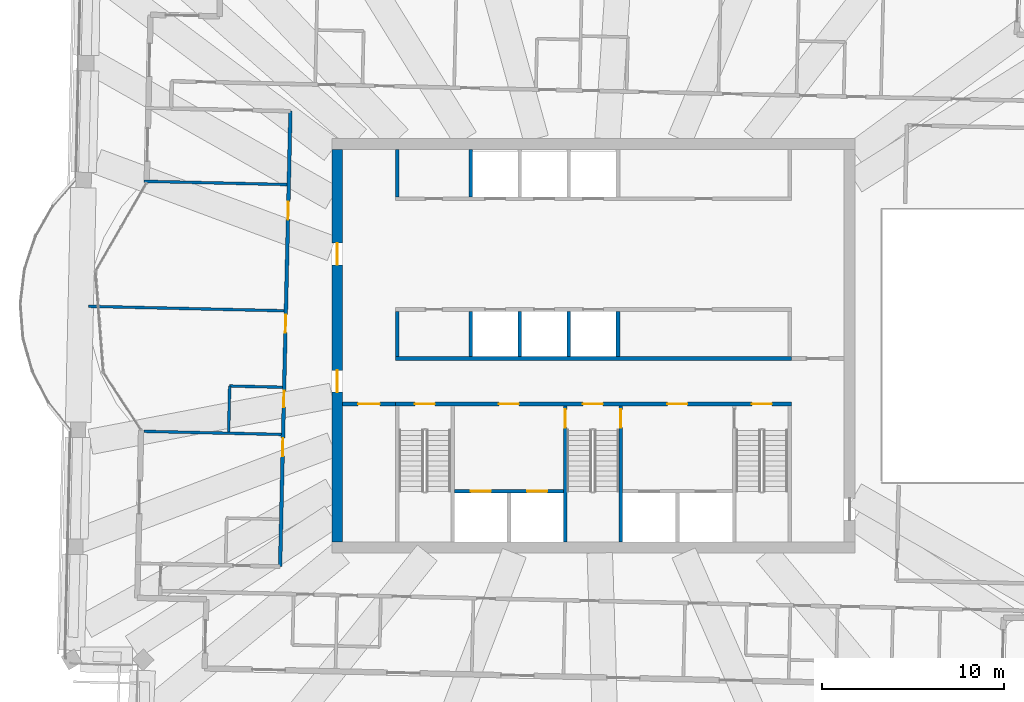
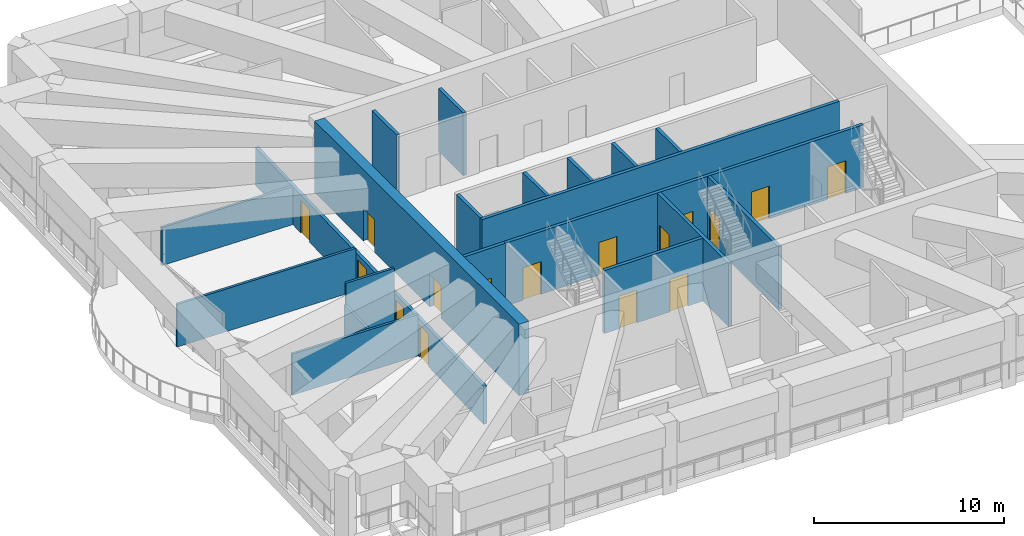
# One storey, part 8 of 17: 20 walls, 16 doors, 16 openings.
"""IFC4 building model written with IfcOpenShell, lengths in metres."""

from ifc_helpers import new_model, si_unit, direction, frame, frame_2d, origin, place, context, subcontext, project, spatial, rectangle, extrude, material, layer, layer_set, type_object, element, fill, save


model = new_model("IFC4")

# Units and contexts
model_context = context("Model", 3, precision=1e-05, world=origin(), true_north=direction((0.0, 1.0)))
body_context = subcontext(model_context, "Body", "Model", "MODEL_VIEW")
ifc_project = project(units=[si_unit("LENGTHUNIT", "METRE"), si_unit("AREAUNIT", "SQUARE_METRE"), si_unit("VOLUMEUNIT", "CUBIC_METRE"), si_unit("PLANEANGLEUNIT", "RADIAN"), si_unit("MASSUNIT", "GRAM", prefix="KILO")], contexts=[model_context])

# Site, building, storey
site_placement = place(None, origin())
site = spatial("IfcSite", under=ifc_project, at=site_placement, CompositionType="ELEMENT")
building_placement = place(site_placement, origin())
building = spatial("IfcBuilding", under=site, at=building_placement, Name="Mangrove Gate Tower", CompositionType="ELEMENT")
storey_placement = place(building_placement, frame((0.0, 0.0, 337.89990234375)))
storey = spatial("IfcBuildingStorey", under=building, at=storey_placement, Name="L86", CompositionType="ELEMENT", Elevation=337.89990234375)

# Wall, opening, door
ifc_material_1 = material(Name="Concrete C32/40", Category="concrete")
ifc_layer_1 = layer(ifc_material_1, 0.199951171875)
ifc_layer_set_1 = layer_set([ifc_layer_1], Name="Core lobby wall 200 C32/40")
wall_type_1 = type_object("IfcWallType", Name="Core lobby wall 200 C32/40", PredefinedType="STANDARD", material=ifc_layer_set_1)
wall_1_placement = place(storey_placement, frame((-13.800048828125, -3.199951171875, 0.0), z_axis=(0.0, 0.0, 1.0), x_axis=(1.0, 0.0, 0.0)))
wall_1 = element("IfcWall", 1, at=wall_1_placement, inside=storey, type_object=wall_type_1, Name="WALL-L86-CORE-31", PredefinedType="STANDARD", context=body_context, shape_type="SweptSolid", body=[
    extrude(rectangle(XDim=2.900146484375, YDim=0.199951171875, at=frame_2d((1.4501953125, 0.0))), origin(), (0.0, 0.0, 1.0), 4.050048828125),
])
opening_1_placement = place(wall_1_placement, frame((0.85009765625, 0.0, 0.0)))
opening_1 = element("IfcOpeningElement", 2, at=opening_1_placement, cuts=wall_1, Name="Opening FL12", PredefinedType="OPENING", context=body_context, shape_type="SweptSolid", body=[
    extrude(rectangle(XDim=1.199951171875, YDim=2.10009765625, at=frame_2d((0.60009765625, 1.050048828125))), frame((0.0, 0.10986328125, 0.0), z_axis=(0.0, -1.0, 0.0), x_axis=(1.0, 0.0, 0.0)), (0.0, 0.0, 1.0), 0.219970703125),
])
ifc_material_2 = material(Name="Fire-rated steel door set", Category="steel")
door_type_1 = type_object("IfcDoorType", Name="Lobby door FD60 1200x2100", OperationType="SINGLE_SWING_LEFT", PredefinedType="DOOR", material=ifc_material_2)
door_1_placement = place(opening_1_placement, origin())
door_1 = element("IfcDoor", 3, at=door_1_placement, inside=storey, type_object=door_type_1, Name="Lobby door core corridor W partition", OperationType="SINGLE_SWING_LEFT", OverallHeight=2.10009765625, OverallWidth=1.199951171875, PredefinedType="DOOR", context=body_context, shape_type="SweptSolid", body=[
    extrude(rectangle(XDim=1.199951171875, YDim=2.10009765625, at=frame_2d((0.60009765625, 1.050048828125))), frame((0.0, 0.02490234375, 0.0), z_axis=(0.0, -1.0, 0.0), x_axis=(1.0, 0.0, 0.0)), (0.0, 0.0, 1.0), 0.050048828125),
])
fill(opening_1, door_1)

# Walls
ifc_material_3 = material(Name="Concrete C32/40", Category="concrete")
ifc_layer_2 = layer(ifc_material_3, 0.199951171875)
ifc_layer_set_2 = layer_set([ifc_layer_2], Name="Core room wall 200 C32/40")
wall_type_2 = type_object("IfcWallType", Name="Core room wall 200 C32/40", PredefinedType="STANDARD", material=ifc_layer_set_2)
wall_2_placement = place(storey_placement, frame((-10.800048828125, -0.60009765625, 0.0), z_axis=(0.0, 0.0, 1.0), x_axis=(0.0, 1.0, 0.0)))
element("IfcWall", 4, at=wall_2_placement, inside=storey, type_object=wall_type_2, Name="WALL-L86-CORE-19", PredefinedType="STANDARD", context=body_context, shape_type="SweptSolid", body=[
    extrude(rectangle(XDim=2.5, YDim=0.199951171875, at=frame_2d((1.25, 0.0))), origin(), (0.0, 0.0, 1.0), 4.050048828125),
])
wall_3_placement = place(storey_placement, frame((-10.800048828125, 8.199951171875, 0.0), z_axis=(0.0, 0.0, 1.0), x_axis=(0.0, 1.0, 0.0)))
element("IfcWall", 5, at=wall_3_placement, inside=storey, type_object=wall_type_2, Name="WALL-L86-CORE-25", PredefinedType="STANDARD", context=body_context, shape_type="SweptSolid", body=[
    extrude(rectangle(XDim=2.60009765625, YDim=0.199951171875, at=frame_2d((1.300048828125, 0.0))), origin(), (0.0, 0.0, 1.0), 4.050048828125),
])
ifc_material_4 = material(Name="Concrete C50/60", Category="concrete")
ifc_layer_3 = layer(ifc_material_4, 0.199951171875)
ifc_layer_set_3 = layer_set([ifc_layer_3], Name="Core shaft wall 200 C50/60")
wall_type_3 = type_object("IfcWallType", Name="Core shaft wall 200 C50/60", PredefinedType="SHEAR", material=ifc_layer_set_3)
wall_4_placement = place(storey_placement, frame((-10.89990234375, -0.699951171875, 0.0), z_axis=(0.0, 0.0, 1.0), x_axis=(1.0, 0.0, 0.0)))
element("IfcWall", 6, at=wall_4_placement, inside=storey, type_object=wall_type_3, Name="WALL-L86-CORE-6", PredefinedType="SHEAR", context=body_context, shape_type="SweptSolid", body=[
    extrude(rectangle(XDim=21.7998046875, YDim=0.199951171875, at=frame_2d((10.89990234375, 0.0))), origin(), (0.0, 0.0, 1.0), 4.050048828125),
])

# Wall, openings, doors
wall_5_placement = place(storey_placement, frame((-7.64990234375, -8.0, 0.0), z_axis=(0.0, 0.0, 1.0), x_axis=(1.0, 0.0, 0.0)))
wall_5 = element("IfcWall", 7, at=wall_5_placement, inside=storey, type_object=wall_type_3, Name="WALL-L86-CORE-15", PredefinedType="SHEAR", context=body_context, shape_type="SweptSolid", body=[
    extrude(rectangle(XDim=6.0, YDim=0.199951171875, at=frame_2d((3.0, 0.0))), origin(), (0.0, 0.0, 1.0), 4.050048828125),
])
opening_2_placement = place(wall_5_placement, frame((0.89990234375, 0.0, 0.0)))
opening_2 = element("IfcOpeningElement", 8, at=opening_2_placement, cuts=wall_5, Name="Opening LD", PredefinedType="OPENING", context=body_context, shape_type="SweptSolid", body=[
    extrude(rectangle(XDim=1.10009765625, YDim=2.10009765625, at=frame_2d((0.550048828125, 1.050048828125))), frame((0.0, 0.10986328125, 0.0), z_axis=(0.0, -1.0, 0.0), x_axis=(1.0, 0.0, 0.0)), (0.0, 0.0, 1.0), 0.219970703125),
])
opening_3_placement = place(wall_5_placement, frame((4.0, 0.0, 0.0)))
opening_3 = element("IfcOpeningElement", 9, at=opening_3_placement, cuts=wall_5, Name="Opening LD", PredefinedType="OPENING", context=body_context, shape_type="SweptSolid", body=[
    extrude(rectangle(XDim=1.10009765625, YDim=2.10009765625, at=frame_2d((0.550048828125, 1.050048828125))), frame((0.0, 0.10986328125, 0.0), z_axis=(0.0, -1.0, 0.0), x_axis=(1.0, 0.0, 0.0)), (0.0, 0.0, 1.0), 0.219970703125),
])
ifc_material_5 = material(Name="Stainless steel 316", Category="steel")
door_type_2 = type_object("IfcDoorType", Name="Lift landing door 1100x2100", OperationType="SLIDING_TO_LEFT", PredefinedType="DOOR", material=ifc_material_5)
door_2_placement = place(opening_2_placement, origin())
door_2 = element("IfcDoor", 10, at=door_2_placement, inside=storey, type_object=door_type_2, Name="Landing door LD SVL1", OperationType="SLIDING_TO_LEFT", OverallHeight=2.10009765625, OverallWidth=1.10009765625, PredefinedType="DOOR", context=body_context, shape_type="SweptSolid", body=[
    extrude(rectangle(XDim=1.10009765625, YDim=2.10009765625, at=frame_2d((0.550048828125, 1.050048828125))), frame((0.0, 0.02490234375, 0.0), z_axis=(0.0, -1.0, 0.0), x_axis=(1.0, 0.0, 0.0)), (0.0, 0.0, 1.0), 0.050048828125),
])
fill(opening_2, door_2)
door_3_placement = place(opening_3_placement, origin())
door_3 = element("IfcDoor", 11, at=door_3_placement, inside=storey, type_object=door_type_2, Name="Landing door LD SVL2", OperationType="SLIDING_TO_LEFT", OverallHeight=2.10009765625, OverallWidth=1.10009765625, PredefinedType="DOOR", context=body_context, shape_type="SweptSolid", body=[
    extrude(rectangle(XDim=1.10009765625, YDim=2.10009765625, at=frame_2d((0.550048828125, 1.050048828125))), frame((0.0, 0.02490234375, 0.0), z_axis=(0.0, -1.0, 0.0), x_axis=(1.0, 0.0, 0.0)), (0.0, 0.0, 1.0), 0.050048828125),
])
fill(opening_3, door_3)

# Walls
for number, where, z_axis, x_axis, name in (
    (12, (-6.75, -0.60009765625, 0.0), (0.0, 0.0, 1.0), (0.0, 1.0, 0.0), "WALL-L86-CORE-20"),
    (13, (-4.050048828125, -0.60009765625, 0.0), (0.0, 0.0, 1.0), (0.0, 1.0, 0.0), "WALL-L86-CORE-21"),
    (14, (-1.35009765625, -0.60009765625, 0.0), (0.0, 0.0, 1.0), (0.0, 1.0, 0.0), "WALL-L86-CORE-22"),
    (15, (1.35009765625, -0.60009765625, 0.0), (0.0, 0.0, 1.0), (0.0, 1.0, 0.0), "WALL-L86-CORE-23"),
):
    element("IfcWall", number, at=place(storey_placement, frame(where, z_axis=z_axis, x_axis=x_axis)), inside=storey, type_object=wall_type_3, Name=name, PredefinedType="SHEAR", context=body_context, shape_type="SweptSolid", body=[
        extrude(rectangle(XDim=2.5, YDim=0.199951171875, at=frame_2d((1.25, 0.0))), origin(), (0.0, 0.0, 1.0), 4.050048828125),
    ])
wall_6_placement = place(storey_placement, frame((-6.75, 8.199951171875, 0.0), z_axis=(0.0, 0.0, 1.0), x_axis=(0.0, 1.0, 0.0)))
element("IfcWall", 16, at=wall_6_placement, inside=storey, type_object=wall_type_3, Name="WALL-L86-CORE-26", PredefinedType="SHEAR", context=body_context, shape_type="SweptSolid", body=[
    extrude(rectangle(XDim=2.60009765625, YDim=0.199951171875, at=frame_2d((1.300048828125, 0.0))), origin(), (0.0, 0.0, 1.0), 4.050048828125),
])

# Wall, openings, doors
ifc_material_6 = material(Name="Concrete C50/60", Category="concrete")
ifc_layer_4 = layer(ifc_material_6, 0.199951171875)
ifc_layer_set_4 = layer_set([ifc_layer_4], Name="Core stair wall 200 C50/60")
wall_type_4 = type_object("IfcWallType", Name="Core stair wall 200 C50/60", PredefinedType="SHEAR", material=ifc_layer_set_4)
wall_7_placement = place(storey_placement, frame((-10.89990234375, -3.199951171875, 0.0), z_axis=(0.0, 0.0, 1.0), x_axis=(1.0, 0.0, 0.0)))
wall_7 = element("IfcWall", 17, at=wall_7_placement, inside=storey, type_object=wall_type_4, Name="WALL-L86-CORE-5", PredefinedType="SHEAR", context=body_context, shape_type="SweptSolid", body=[
    extrude(rectangle(XDim=21.7998046875, YDim=0.199951171875, at=frame_2d((10.89990234375, 0.0))), origin(), (0.0, 0.0, 1.0), 4.050048828125),
])
opening_4_placement = place(wall_7_placement, frame((1.074951171875, 0.0, 0.0)))
opening_4 = element("IfcOpeningElement", 18, at=opening_4_placement, cuts=wall_7, Name="Opening STD11", PredefinedType="OPENING", context=body_context, shape_type="SweptSolid", body=[
    extrude(rectangle(XDim=1.10009765625, YDim=2.10009765625, at=frame_2d((0.550048828125, 1.050048828125))), frame((0.0, 0.10986328125, 0.0), z_axis=(0.0, -1.0, 0.0), x_axis=(1.0, 0.0, 0.0)), (0.0, 0.0, 1.0), 0.219970703125),
])
opening_5_placement = place(wall_7_placement, frame((10.324951171875, 0.0, 0.0)))
opening_5 = element("IfcOpeningElement", 19, at=opening_5_placement, cuts=wall_7, Name="Opening STD11", PredefinedType="OPENING", context=body_context, shape_type="SweptSolid", body=[
    extrude(rectangle(XDim=1.10009765625, YDim=2.10009765625, at=frame_2d((0.550048828125, 1.050048828125))), frame((0.0, 0.10986328125, 0.0), z_axis=(0.0, -1.0, 0.0), x_axis=(1.0, 0.0, 0.0)), (0.0, 0.0, 1.0), 0.219970703125),
])
opening_6_placement = place(wall_7_placement, frame((19.625, 0.0, 0.0)))
opening_6 = element("IfcOpeningElement", 20, at=opening_6_placement, cuts=wall_7, Name="Opening STD11", PredefinedType="OPENING", context=body_context, shape_type="SweptSolid", body=[
    extrude(rectangle(XDim=1.10009765625, YDim=2.10009765625, at=frame_2d((0.550048828125, 1.050048828125))), frame((0.0, 0.10986328125, 0.0), z_axis=(0.0, -1.0, 0.0), x_axis=(1.0, 0.0, 0.0)), (0.0, 0.0, 1.0), 0.219970703125),
])
opening_7_placement = place(wall_7_placement, frame((5.699951171875, 0.0, 0.0)))
opening_7 = element("IfcOpeningElement", 21, at=opening_7_placement, cuts=wall_7, Name="Opening FL", PredefinedType="OPENING", context=body_context, shape_type="SweptSolid", body=[
    extrude(rectangle(XDim=1.10009765625, YDim=2.10009765625, at=frame_2d((0.550048828125, 1.050048828125))), frame((0.0, 0.10986328125, 0.0), z_axis=(0.0, -1.0, 0.0), x_axis=(1.0, 0.0, 0.0)), (0.0, 0.0, 1.0), 0.219970703125),
])
opening_8_placement = place(wall_7_placement, frame((14.97509765625, 0.0, 0.0)))
opening_8 = element("IfcOpeningElement", 22, at=opening_8_placement, cuts=wall_7, Name="Opening FL", PredefinedType="OPENING", context=body_context, shape_type="SweptSolid", body=[
    extrude(rectangle(XDim=1.10009765625, YDim=2.10009765625, at=frame_2d((0.550048828125, 1.050048828125))), frame((0.0, 0.10986328125, 0.0), z_axis=(0.0, -1.0, 0.0), x_axis=(1.0, 0.0, 0.0)), (0.0, 0.0, 1.0), 0.219970703125),
])
ifc_material_7 = material(Name="Fire-rated steel door set", Category="steel")
door_type_3 = type_object("IfcDoorType", Name="Lobby door FD60 1100x2100", OperationType="SINGLE_SWING_LEFT", PredefinedType="DOOR", material=ifc_material_7)
door_4_placement = place(opening_7_placement, origin())
door_4 = element("IfcDoor", 23, at=door_4_placement, inside=storey, type_object=door_type_3, Name="Lobby door service lobby", OperationType="SINGLE_SWING_LEFT", OverallHeight=2.10009765625, OverallWidth=1.10009765625, PredefinedType="DOOR", context=body_context, shape_type="SweptSolid", body=[
    extrude(rectangle(XDim=1.10009765625, YDim=2.10009765625, at=frame_2d((0.550048828125, 1.050048828125))), frame((0.0, 0.02490234375, 0.0), z_axis=(0.0, -1.0, 0.0), x_axis=(1.0, 0.0, 0.0)), (0.0, 0.0, 1.0), 0.050048828125),
])
fill(opening_7, door_4)
door_5_placement = place(opening_8_placement, origin())
door_5 = element("IfcDoor", 24, at=door_5_placement, inside=storey, type_object=door_type_3, Name="Lobby door fire-fighting lobby", OperationType="SINGLE_SWING_LEFT", OverallHeight=2.10009765625, OverallWidth=1.10009765625, PredefinedType="DOOR", context=body_context, shape_type="SweptSolid", body=[
    extrude(rectangle(XDim=1.10009765625, YDim=2.10009765625, at=frame_2d((0.550048828125, 1.050048828125))), frame((0.0, 0.02490234375, 0.0), z_axis=(0.0, -1.0, 0.0), x_axis=(1.0, 0.0, 0.0)), (0.0, 0.0, 1.0), 0.050048828125),
])
fill(opening_8, door_5)
ifc_material_8 = material(Name="Fire-rated steel door set", Category="steel")
door_type_4 = type_object("IfcDoorType", Name="Stair door FD60 1100x2100", OperationType="SINGLE_SWING_RIGHT", PredefinedType="DOOR", material=ifc_material_8)
door_6_placement = place(opening_4_placement, origin())
door_6 = element("IfcDoor", 25, at=door_6_placement, inside=storey, type_object=door_type_4, Name="Stair door Stair 1", OperationType="SINGLE_SWING_RIGHT", OverallHeight=2.10009765625, OverallWidth=1.10009765625, PredefinedType="DOOR", context=body_context, shape_type="SweptSolid", body=[
    extrude(rectangle(XDim=1.10009765625, YDim=2.10009765625, at=frame_2d((0.550048828125, 1.050048828125))), frame((0.0, 0.02490234375, 0.0), z_axis=(0.0, -1.0, 0.0), x_axis=(1.0, 0.0, 0.0)), (0.0, 0.0, 1.0), 0.050048828125),
])
fill(opening_4, door_6)
door_7_placement = place(opening_5_placement, origin())
door_7 = element("IfcDoor", 26, at=door_7_placement, inside=storey, type_object=door_type_4, Name="Stair door Stair 2", OperationType="SINGLE_SWING_RIGHT", OverallHeight=2.10009765625, OverallWidth=1.10009765625, PredefinedType="DOOR", context=body_context, shape_type="SweptSolid", body=[
    extrude(rectangle(XDim=1.10009765625, YDim=2.10009765625, at=frame_2d((0.550048828125, 1.050048828125))), frame((0.0, 0.02490234375, 0.0), z_axis=(0.0, -1.0, 0.0), x_axis=(1.0, 0.0, 0.0)), (0.0, 0.0, 1.0), 0.050048828125),
])
fill(opening_5, door_7)
door_8_placement = place(opening_6_placement, origin())
door_8 = element("IfcDoor", 27, at=door_8_placement, inside=storey, type_object=door_type_4, Name="Stair door Stair 3", OperationType="SINGLE_SWING_RIGHT", OverallHeight=2.10009765625, OverallWidth=1.10009765625, PredefinedType="DOOR", context=body_context, shape_type="SweptSolid", body=[
    extrude(rectangle(XDim=1.10009765625, YDim=2.10009765625, at=frame_2d((0.550048828125, 1.050048828125))), frame((0.0, 0.02490234375, 0.0), z_axis=(0.0, -1.0, 0.0), x_axis=(1.0, 0.0, 0.0)), (0.0, 0.0, 1.0), 0.050048828125),
])
fill(opening_6, door_8)

# Wall, opening, door
wall_8_placement = place(storey_placement, frame((-1.550048828125, -10.800048828125, 0.0), z_axis=(0.0, 0.0, 1.0), x_axis=(0.0, 1.0, 0.0)))
wall_8 = element("IfcWall", 28, at=wall_8_placement, inside=storey, type_object=wall_type_4, Name="WALL-L86-CORE-11", PredefinedType="SHEAR", context=body_context, shape_type="SweptSolid", body=[
    extrude(rectangle(XDim=7.5, YDim=0.199951171875, at=frame_2d((3.75, 0.0))), origin(), (0.0, 0.0, 1.0), 4.050048828125),
])
opening_9_placement = place(wall_8_placement, frame((6.300048828125, 0.0, 0.0)))
opening_9 = element("IfcOpeningElement", 29, at=opening_9_placement, cuts=wall_8, Name="Opening STD10", PredefinedType="OPENING", context=body_context, shape_type="SweptSolid", body=[
    extrude(rectangle(XDim=1.0, YDim=2.10009765625, at=frame_2d((0.5, 1.050048828125))), frame((0.0, 0.10986328125, 0.0), z_axis=(0.0, -1.0, 0.0), x_axis=(1.0, 0.0, 0.0)), (0.0, 0.0, 1.0), 0.219970703125),
])
ifc_material_9 = material(Name="Fire-rated steel door set", Category="steel")
door_type_5 = type_object("IfcDoorType", Name="Stair door FD60 1000x2100", OperationType="SINGLE_SWING_RIGHT", PredefinedType="DOOR", material=ifc_material_9)
door_9_placement = place(opening_9_placement, origin())
door_9 = element("IfcDoor", 30, at=door_9_placement, inside=storey, type_object=door_type_5, Name="Stair door Stair 2 from service lobby", OperationType="SINGLE_SWING_RIGHT", OverallHeight=2.10009765625, OverallWidth=1.0, PredefinedType="DOOR", context=body_context, shape_type="SweptSolid", body=[
    extrude(rectangle(XDim=1.0, YDim=2.10009765625, at=frame_2d((0.5, 1.050048828125))), frame((0.0, 0.02490234375, 0.0), z_axis=(0.0, -1.0, 0.0), x_axis=(1.0, 0.0, 0.0)), (0.0, 0.0, 1.0), 0.050048828125),
])
fill(opening_9, door_9)

wall_9_placement = place(storey_placement, frame((1.5, -10.800048828125, 0.0), z_axis=(0.0, 0.0, 1.0), x_axis=(0.0, 1.0, 0.0)))
wall_9 = element("IfcWall", 31, at=wall_9_placement, inside=storey, type_object=wall_type_4, Name="WALL-L86-CORE-12", PredefinedType="SHEAR", context=body_context, shape_type="SweptSolid", body=[
    extrude(rectangle(XDim=7.5, YDim=0.199951171875, at=frame_2d((3.75, 0.0))), origin(), (0.0, 0.0, 1.0), 4.050048828125),
])
opening_10_placement = place(wall_9_placement, frame((6.300048828125, 0.0, 0.0)))
opening_10 = element("IfcOpeningElement", 32, at=opening_10_placement, cuts=wall_9, Name="Opening STD10", PredefinedType="OPENING", context=body_context, shape_type="SweptSolid", body=[
    extrude(rectangle(XDim=1.0, YDim=2.10009765625, at=frame_2d((0.5, 1.050048828125))), frame((0.0, 0.10986328125, 0.0), z_axis=(0.0, -1.0, 0.0), x_axis=(1.0, 0.0, 0.0)), (0.0, 0.0, 1.0), 0.219970703125),
])
door_10_placement = place(opening_10_placement, origin())
door_10 = element("IfcDoor", 33, at=door_10_placement, inside=storey, type_object=door_type_5, Name="Stair door Stair 2 from fire-fighting lobby", OperationType="SINGLE_SWING_RIGHT", OverallHeight=2.10009765625, OverallWidth=1.0, PredefinedType="DOOR", context=body_context, shape_type="SweptSolid", body=[
    extrude(rectangle(XDim=1.0, YDim=2.10009765625, at=frame_2d((0.5, 1.050048828125))), frame((0.0, 0.02490234375, 0.0), z_axis=(0.0, -1.0, 0.0), x_axis=(1.0, 0.0, 0.0)), (0.0, 0.0, 1.0), 0.050048828125),
])
fill(opening_10, door_10)

# Wall, openings, doors
ifc_material_10 = material(Name="Concrete C50/60", Category="concrete")
ifc_layer_5 = layer(ifc_material_10, 0.60009765625)
ifc_layer_set_5 = layer_set([ifc_layer_5], Name="Core wall 600 C50/60")
wall_type_5 = type_object("IfcWallType", Name="Core wall 600 C50/60", PredefinedType="SHEAR", material=ifc_layer_set_5)
wall_10_placement = place(storey_placement, frame((-14.10009765625, -10.800048828125, 0.0), z_axis=(0.0, 0.0, 1.0), x_axis=(0.0, 1.0, 0.0)))
wall_10 = element("IfcWall", 34, at=wall_10_placement, inside=storey, type_object=wall_type_5, Name="WALL-L86-CORE-3", PredefinedType="SHEAR", context=body_context, shape_type="SweptSolid", body=[
    extrude(rectangle(XDim=21.60009765625, YDim=0.60009765625, at=frame_2d((10.800048828125, 0.0))), origin(), (0.0, 0.0, 1.0), 4.60009765625),
])
opening_11_placement = place(wall_10_placement, frame((8.25, 0.0, 0.0)))
opening_11 = element("IfcOpeningElement", 35, at=opening_11_placement, cuts=wall_10, Name="Opening CD", PredefinedType="OPENING", context=body_context, shape_type="SweptSolid", body=[
    extrude(rectangle(XDim=1.199951171875, YDim=2.10009765625, at=frame_2d((0.60009765625, 1.050048828125))), frame((0.0, 0.31005859375, 0.0), z_axis=(0.0, -1.0, 0.0), x_axis=(1.0, 0.0, 0.0)), (0.0, 0.0, 1.0), 0.6201171875),
])
opening_12_placement = place(wall_10_placement, frame((15.25, 0.0, 0.0)))
opening_12 = element("IfcOpeningElement", 36, at=opening_12_placement, cuts=wall_10, Name="Opening CD", PredefinedType="OPENING", context=body_context, shape_type="SweptSolid", body=[
    extrude(rectangle(XDim=1.199951171875, YDim=2.10009765625, at=frame_2d((0.60009765625, 1.050048828125))), frame((0.0, 0.31005859375, 0.0), z_axis=(0.0, -1.0, 0.0), x_axis=(1.0, 0.0, 0.0)), (0.0, 0.0, 1.0), 0.6201171875),
])
ifc_material_11 = material(Name="Fire-rated steel door set", Category="steel")
door_type_6 = type_object("IfcDoorType", Name="Core ring door FD60 1200x2100", OperationType="DOUBLE_DOOR_SINGLE_SWING", PredefinedType="DOOR", material=ifc_material_11)
door_11_placement = place(opening_11_placement, origin())
door_11 = element("IfcDoor", 37, at=door_11_placement, inside=storey, type_object=door_type_6, Name="Core ring door W1", OperationType="DOUBLE_DOOR_SINGLE_SWING", OverallHeight=2.10009765625, OverallWidth=1.199951171875, PredefinedType="DOOR", context=body_context, shape_type="SweptSolid", body=[
    extrude(rectangle(XDim=1.199951171875, YDim=2.10009765625, at=frame_2d((0.60009765625, 1.050048828125))), frame((0.0, 0.02490234375, 0.0), z_axis=(0.0, -1.0, 0.0), x_axis=(1.0, 0.0, 0.0)), (0.0, 0.0, 1.0), 0.050048828125),
])
fill(opening_11, door_11)
door_12_placement = place(opening_12_placement, origin())
door_12 = element("IfcDoor", 38, at=door_12_placement, inside=storey, type_object=door_type_6, Name="Core ring door W2", OperationType="DOUBLE_DOOR_SINGLE_SWING", OverallHeight=2.10009765625, OverallWidth=1.199951171875, PredefinedType="DOOR", context=body_context, shape_type="SweptSolid", body=[
    extrude(rectangle(XDim=1.199951171875, YDim=2.10009765625, at=frame_2d((0.60009765625, 1.050048828125))), frame((0.0, 0.02490234375, 0.0), z_axis=(0.0, -1.0, 0.0), x_axis=(1.0, 0.0, 0.0)), (0.0, 0.0, 1.0), 0.050048828125),
])
fill(opening_12, door_12)

ifc_material_12 = material(Name="Gypsum board on steel stud, EI 60", Category="steel")
ifc_layer_6 = layer(ifc_material_12, 0.199951171875)
ifc_layer_set_6 = layer_set([ifc_layer_6], Name="Corridor wall EI 60")
wall_type_6 = type_object("IfcWallType", Name="Corridor wall EI 60", PredefinedType="PARTITIONING", material=ifc_layer_set_6)
wall_11_placement = place(storey_placement, frame((-17.2470703125, -12.14892578125, 0.0), z_axis=(0.0, 0.0, 1.0), x_axis=(0.022696191528, 0.999742408268, 0.0)))
wall_11 = element("IfcWall", 39, at=wall_11_placement, inside=storey, type_object=wall_type_6, Name="WALL-L86-022", PredefinedType="PARTITIONING", context=body_context, shape_type="SweptSolid", body=[
    extrude(rectangle(XDim=25.07421875, YDim=0.199951171875, at=frame_2d((12.537109375, 0.0))), origin(), (0.0, 0.0, 1.0), 2.4501953125),
])
opening_13_placement = place(wall_11_placement, frame((19.096923828125, 0.0, 0.0)))
opening_13 = element("IfcOpeningElement", 40, at=opening_13_placement, cuts=wall_11, Name="Opening AD", PredefinedType="OPENING", context=body_context, shape_type="SweptSolid", body=[
    extrude(rectangle(XDim=1.0, YDim=2.10009765625, at=frame_2d((0.5, 1.050048828125))), frame((0.0, 0.10986328125, 0.0), z_axis=(0.0, -1.0, 0.0), x_axis=(1.0, 0.0, 0.0)), (0.0, 0.0, 1.0), 0.219970703125),
])
opening_14_placement = place(wall_11_placement, frame((12.875, 0.0, 0.0)))
opening_14 = element("IfcOpeningElement", 41, at=opening_14_placement, cuts=wall_11, Name="Opening AD", PredefinedType="OPENING", context=body_context, shape_type="SweptSolid", body=[
    extrude(rectangle(XDim=1.0, YDim=2.10009765625, at=frame_2d((0.5, 1.050048828125))), frame((0.0, 0.10986328125, 0.0), z_axis=(0.0, -1.0, 0.0), x_axis=(1.0, 0.0, 0.0)), (0.0, 0.0, 1.0), 0.219970703125),
])
opening_15_placement = place(wall_11_placement, frame((8.77490234375, 0.0, 0.0)))
opening_15 = element("IfcOpeningElement", 42, at=opening_15_placement, cuts=wall_11, Name="Opening SD", PredefinedType="OPENING", context=body_context, shape_type="SweptSolid", body=[
    extrude(rectangle(XDim=0.89990234375, YDim=2.10009765625, at=frame_2d((0.449951171875, 1.050048828125))), frame((0.0, 0.10986328125, 0.0), z_axis=(0.0, -1.0, 0.0), x_axis=(1.0, 0.0, 0.0)), (0.0, 0.0, 1.0), 0.219970703125),
])
opening_16_placement = place(wall_11_placement, frame((6.074951171875, 0.0, 0.0)))
opening_16 = element("IfcOpeningElement", 43, at=opening_16_placement, cuts=wall_11, Name="Opening AD", PredefinedType="OPENING", context=body_context, shape_type="SweptSolid", body=[
    extrude(rectangle(XDim=1.0, YDim=2.10009765625, at=frame_2d((0.5, 1.050048828125))), frame((0.0, 0.10986328125, 0.0), z_axis=(0.0, -1.0, 0.0), x_axis=(1.0, 0.0, 0.0)), (0.0, 0.0, 1.0), 0.219970703125),
])
ifc_material_13 = material(Name="Timber door leaf", Category="wood")
door_type_7 = type_object("IfcDoorType", Name="Amenity door 1000", OperationType="SINGLE_SWING_LEFT", PredefinedType="DOOR", material=ifc_material_13)
door_13_placement = place(opening_13_placement, origin())
door_13 = element("IfcDoor", 44, at=door_13_placement, inside=storey, type_object=door_type_7, Name="DOOR-L86-GAM-c5b", OperationType="SINGLE_SWING_RIGHT", OverallHeight=2.10009765625, OverallWidth=1.0, PredefinedType="DOOR", context=body_context, shape_type="SweptSolid", body=[
    extrude(rectangle(XDim=1.0, YDim=2.10009765625, at=frame_2d((0.5, 1.050048828125))), frame((0.0, 0.02490234375, 0.0), z_axis=(0.0, -1.0, 0.0), x_axis=(1.0, 0.0, 0.0)), (0.0, 0.0, 1.0), 0.050048828125),
])
fill(opening_13, door_13)
door_14_placement = place(opening_14_placement, origin())
door_14 = element("IfcDoor", 45, at=door_14_placement, inside=storey, type_object=door_type_7, Name="DOOR-L86-GAM-c5c", OperationType="SINGLE_SWING_LEFT", OverallHeight=2.10009765625, OverallWidth=1.0, PredefinedType="DOOR", context=body_context, shape_type="SweptSolid", body=[
    extrude(rectangle(XDim=1.0, YDim=2.10009765625, at=frame_2d((0.5, 1.050048828125))), frame((0.0, 0.02490234375, 0.0), z_axis=(0.0, -1.0, 0.0), x_axis=(1.0, 0.0, 0.0)), (0.0, 0.0, 1.0), 0.050048828125),
])
fill(opening_14, door_14)
door_15_placement = place(opening_16_placement, origin())
door_15 = element("IfcDoor", 46, at=door_15_placement, inside=storey, type_object=door_type_7, Name="DOOR-L86-GAM-c5d", OperationType="SINGLE_SWING_RIGHT", OverallHeight=2.10009765625, OverallWidth=1.0, PredefinedType="DOOR", context=body_context, shape_type="SweptSolid", body=[
    extrude(rectangle(XDim=1.0, YDim=2.10009765625, at=frame_2d((0.5, 1.050048828125))), frame((0.0, 0.02490234375, 0.0), z_axis=(0.0, -1.0, 0.0), x_axis=(1.0, 0.0, 0.0)), (0.0, 0.0, 1.0), 0.050048828125),
])
fill(opening_16, door_15)
ifc_material_14 = material(Name="Timber door leaf", Category="wood")
door_type_8 = type_object("IfcDoorType", Name="Service room door 900", OperationType="SINGLE_SWING_LEFT", PredefinedType="DOOR", material=ifc_material_14)
door_16_placement = place(opening_15_placement, origin())
door_16 = element("IfcDoor", 47, at=door_16_placement, inside=storey, type_object=door_type_8, Name="DOOR-L86-AWC-c5a", OperationType="SINGLE_SWING_RIGHT", OverallHeight=2.10009765625, OverallWidth=0.89990234375, PredefinedType="DOOR", context=body_context, shape_type="SweptSolid", body=[
    extrude(rectangle(XDim=0.89990234375, YDim=2.10009765625, at=frame_2d((0.449951171875, 1.050048828125))), frame((0.0, 0.02490234375, 0.0), z_axis=(0.0, -1.0, 0.0), x_axis=(1.0, 0.0, 0.0)), (0.0, 0.0, 1.0), 0.050048828125),
])
fill(opening_15, door_16)

# Walls
ifc_material_15 = material(Name="Gypsum board on steel stud, EI 60", Category="steel")
ifc_layer_7 = layer(ifc_material_15, 0.14990234375)
ifc_layer_set_7 = layer_set([ifc_layer_7], Name="Party wall 150 EI 60")
wall_type_7 = type_object("IfcWallType", Name="Party wall 150 EI 60", PredefinedType="PARTITIONING", material=ifc_layer_set_7)
wall_12_placement = place(storey_placement, frame((-24.75, -4.7060546875, 0.0), z_axis=(0.0, 0.0, 1.0), x_axis=(0.999742135204, -0.022708216532, 0.0)))
element("IfcWall", 48, at=wall_12_placement, inside=storey, type_object=wall_type_7, Name="WALL-L86-027", PredefinedType="PARTITIONING", context=body_context, shape_type="SweptSolid", body=[
    extrude(rectangle(XDim=7.56884765625, YDim=0.14990234375, at=frame_2d((3.784423828125, 0.0))), origin(), (0.0, 0.0, 1.0), 2.650146484375),
])
wall_13_placement = place(storey_placement, frame((-20.080078125, -4.73193359375, 0.0), z_axis=(0.0, 0.0, 1.0), x_axis=(0.023015762656, 0.999735102249, 0.0)))
element("IfcWall", 49, at=wall_13_placement, inside=storey, type_object=wall_type_7, Name="WALL-L86-028", PredefinedType="PARTITIONING", context=body_context, shape_type="SweptSolid", body=[
    extrude(rectangle(XDim=2.524658203125, YDim=0.14990234375, at=frame_2d((1.26220703125, 0.0))), origin(), (0.0, 0.0, 1.0), 2.650146484375),
])
wall_14_placement = place(storey_placement, frame((-20.02294921875, -2.212890625, 0.0), z_axis=(0.0, 0.0, 1.0), x_axis=(0.999739657619, -0.022817032779, 0.0)))
element("IfcWall", 50, at=wall_14_placement, inside=storey, type_object=wall_type_7, Name="WALL-L86-029", PredefinedType="PARTITIONING", context=body_context, shape_type="SweptSolid", body=[
    extrude(rectangle(XDim=2.899658203125, YDim=0.14990234375, at=frame_2d((1.44970703125, 0.0))), origin(), (0.0, 0.0, 1.0), 4.050048828125),
])
wall_15_placement = place(storey_placement, frame((-27.787109375, 2.174072265625, 0.0), z_axis=(0.0, 0.0, 1.0), x_axis=(0.999742596323, -0.022687906418, 0.0)))
element("IfcWall", 51, at=wall_15_placement, inside=storey, type_object=wall_type_7, Name="WALL-L86-030", PredefinedType="PARTITIONING", context=body_context, shape_type="SweptSolid", body=[
    extrude(rectangle(XDim=10.7607421875, YDim=0.14990234375, at=frame_2d((5.38037109375, 0.0))), origin(), (0.0, 0.0, 1.0), 2.75),
])
wall_16_placement = place(storey_placement, frame((-24.738037109375, 9.056884765625, 0.0), z_axis=(0.0, 0.0, 1.0), x_axis=(0.999741370831, -0.022741843553, 0.0)))
element("IfcWall", 52, at=wall_16_placement, inside=storey, type_object=wall_type_7, Name="WALL-L86-032", PredefinedType="PARTITIONING", context=body_context, shape_type="SweptSolid", body=[
    extrude(rectangle(XDim=7.868896484375, YDim=0.14990234375, at=frame_2d((3.9345703125, 0.0))), origin(), (0.0, 0.0, 1.0), 2.4501953125),
])

save(model, "model.ifc")
